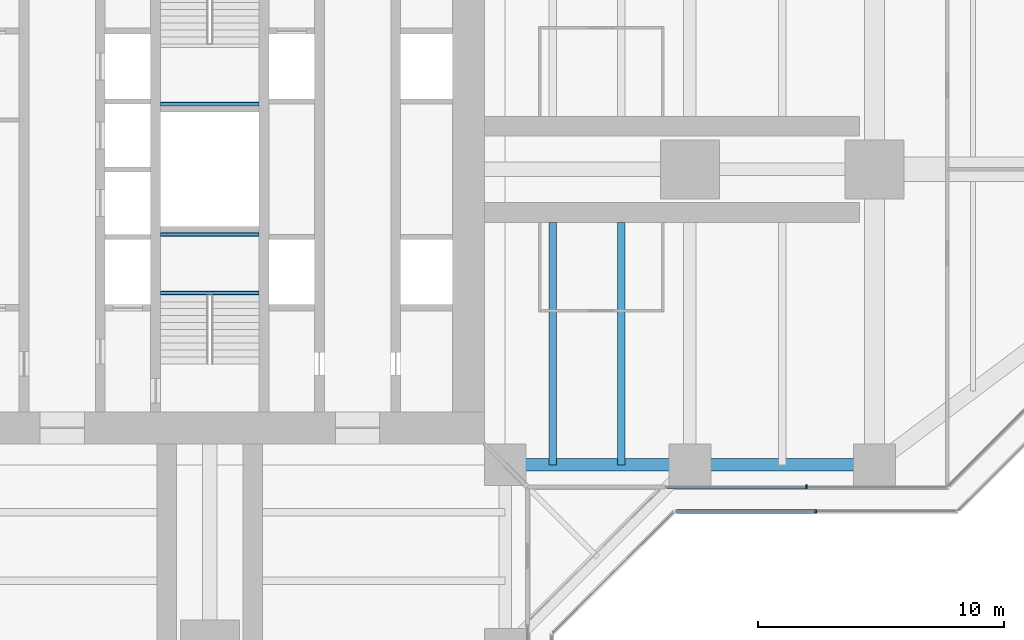
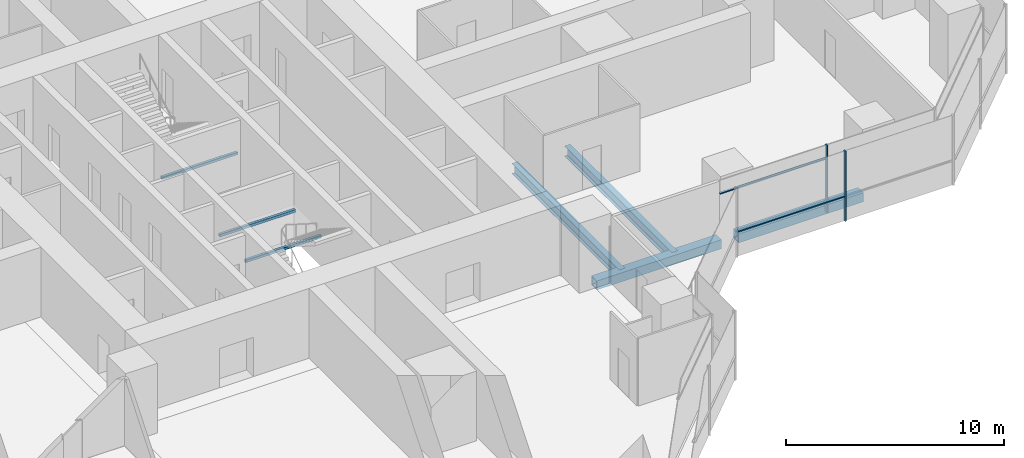
# One storey, part 5 of 19: 7 beams, 4 members, 2 elements without a shape of their own.
"""IFC4 building model written with IfcOpenShell, lengths in metres."""

from ifc_helpers import new_model, si_unit, direction, frame, origin, origin_2d, place, context, subcontext, project, spatial, rectangle, hollow_rectangle, i_section, extrude, material, material_profile, profile_set, type_object, element, aggregate, save


model = new_model("IFC4")

# Units and contexts
model_context = context("Model", 3, precision=1e-05, world=origin(), true_north=direction((0.0, 1.0)))
body_context = subcontext(model_context, "Body", "Model", "MODEL_VIEW")
ifc_project = project(units=[si_unit("LENGTHUNIT", "METRE"), si_unit("AREAUNIT", "SQUARE_METRE"), si_unit("VOLUMEUNIT", "CUBIC_METRE"), si_unit("PLANEANGLEUNIT", "RADIAN"), si_unit("MASSUNIT", "GRAM", prefix="KILO")], contexts=[model_context])

# Site, building, storey
site_placement = place(None, origin())
site = spatial("IfcSite", under=ifc_project, at=site_placement, CompositionType="ELEMENT")
building_placement = place(site_placement, origin())
building = spatial("IfcBuilding", under=site, at=building_placement, Name="Mizan Broadcast Tower", CompositionType="ELEMENT")
storey_placement = place(building_placement, frame((0.0, 0.0, 167.10009765625)))
storey = spatial("IfcBuildingStorey", under=building, at=storey_placement, Name="L38", CompositionType="ELEMENT", Elevation=167.10009765625)

# Beams
ifc_material_1 = material(Name="Steel S355", Category="steel")
ifc_material_profile_1 = material_profile(ifc_material_1, hollow_rectangle(XDim=0.5, YDim=0.5, WallThickness=0.030029296875, at=origin_2d()), Name="BOX 500x500x30")
ifc_profile_set_1 = profile_set([ifc_material_profile_1], Name="Steel S355")
beam_type_1 = type_object("IfcBeamType", Name="EDGE BEAM BOX 500x500x30", PredefinedType="SPANDREL", material=ifc_profile_set_1)
for number, where, z_axis, x_axis, name in (
    (1, (12.449951171875, -12.0, -0.380126953125), (1.0, 0.0, 0.0), (0.0, 1.0, 0.0), "Edge beam BOX 500x500x30 L38 east arm"),
    (2, (19.949951171875, -12.0, -0.380126953125), (1.0, 0.0, 0.0), (0.0, 1.0, 0.0), "Edge beam BOX 500x500x30 L38 east arm"),
):
    element("IfcBeam", number, at=place(storey_placement, frame(where, z_axis=z_axis, x_axis=x_axis)), inside=storey, type_object=beam_type_1, Name=name, PredefinedType="SPANDREL", context=body_context, shape_type="SweptSolid", body=[
        extrude(hollow_rectangle(XDim=0.5, YDim=0.5, WallThickness=0.030029296875, at=origin_2d()), origin(), (0.0, 0.0, 1.0), 6.60009765625),
    ])

# Curtain wall, members
ifc_material_2 = material(Name="Aluminium framed glazing", Category="aluminium")
curtain_wall_type_1 = type_object("IfcCurtainWallType", Name="INNER SKIN MID ZONE", PredefinedType="USERDEFINED", material=ifc_material_2)
curtain_wall_1_placement = place(storey_placement, origin())
curtain_wall_1 = element("IfcCurtainWall", 3, at=curtain_wall_1_placement, inside=storey, type_object=curtain_wall_type_1, Name="Inner skin mid zone L38 E side", ObjectType="INNER SKIN MID ZONE", PredefinedType="USERDEFINED")
ifc_material_3 = material(Name="Aluminium, pale anodised", Category="aluminium")
ifc_material_profile_2 = material_profile(ifc_material_3, rectangle(XDim=0.159912109375, YDim=0.06005859375, at=origin_2d()), Name="MULLION 160x60")
ifc_profile_set_2 = profile_set([ifc_material_profile_2], Name="Aluminium, pale anodised")
member_type_1 = type_object("IfcMemberType", Name="INNER SKIN MULLION 60x160", PredefinedType="MULLION", material=ifc_profile_set_2)
member_1_placement = place(storey_placement, frame((24.229248046875, -12.89990234375, 0.0), z_axis=(0.0, 0.0, 1.0), x_axis=(0.0, 1.0, 0.0)))
member_1 = element("IfcMember", 4, at=member_1_placement, type_object=member_type_1, Name="Inner skin mid zone L38 E side mullion 2", PredefinedType="MULLION", context=body_context, shape_type="SweptSolid", body=[
    extrude(rectangle(XDim=0.159912109375, YDim=0.06005859375, at=origin_2d()), origin(), (0.0, 0.0, 1.0), 3.77001953125),
])
ifc_material_4 = material(Name="Aluminium, pale anodised", Category="aluminium")
ifc_material_profile_3 = material_profile(ifc_material_4, rectangle(XDim=0.1201171875, YDim=0.06005859375, at=origin_2d()), Name="TRANSOM 120x60")
ifc_profile_set_3 = profile_set([ifc_material_profile_3], Name="Aluminium, pale anodised")
member_type_2 = type_object("IfcMemberType", Name="INNER SKIN TRANSOM 60x120", PredefinedType="USERDEFINED", material=ifc_profile_set_3)
member_2_placement = place(storey_placement, frame((18.56005859375, -12.89990234375, 3.02978515625), z_axis=(1.0, 0.0, 0.0), x_axis=(0.0, 1.0, 0.0)))
member_2 = element("IfcMember", 5, at=member_2_placement, type_object=member_type_2, Name="Inner skin mid zone L38 E side transom 1.1", ObjectType="TRANSOM", PredefinedType="USERDEFINED", context=body_context, shape_type="SweptSolid", body=[
    extrude(rectangle(XDim=0.1201171875, YDim=0.06005859375, at=origin_2d()), origin(), (0.0, 0.0, 1.0), 5.63916015625),
])
aggregate(curtain_wall_1, [member_1, member_2])

# Beams
ifc_material_5 = material(Name="Steel S355", Category="steel")
ifc_material_profile_4 = material_profile(ifc_material_5, hollow_rectangle(XDim=0.14990234375, YDim=0.14990234375, WallThickness=0.008056640625, InnerFilletRadius=0.008056640625, OuterFilletRadius=0.011962890625, at=origin_2d()), Name="SHS 150x150x8")
ifc_profile_set_4 = profile_set([ifc_material_profile_4], Name="Steel S355")
beam_type_2 = type_object("IfcBeamType", Name="LANDING TRIMMER SHS 150x150x8", PredefinedType="BEAM", material=ifc_profile_set_4)
for number, where, z_axis, x_axis, name in (
    (6, (-2.0, -5.02490234375, 1.6748046875), (1.0, 0.0, 0.0), (0.0, 1.0, 0.0), "Stair A landing trimmer L38"),
    (7, (-2.0, -2.64990234375, 1.6748046875), (1.0, 0.0, 0.0), (0.0, 1.0, 0.0), "Stair A landing trimmer L38"),
    (8, (2.0, 2.64990234375, 1.6748046875), (-1.0, 0.0, 0.0), (0.0, -1.0, 0.0), "Stair B landing trimmer L38"),
):
    element("IfcBeam", number, at=place(storey_placement, frame(where, z_axis=z_axis, x_axis=x_axis)), inside=storey, type_object=beam_type_2, Name=name, PredefinedType="BEAM", context=body_context, shape_type="SweptSolid", body=[
        extrude(hollow_rectangle(XDim=0.14990234375, YDim=0.14990234375, WallThickness=0.008056640625, InnerFilletRadius=0.008056640625, OuterFilletRadius=0.011962890625, at=origin_2d()), origin(), (0.0, 0.0, 1.0), 4.0),
    ])

# Curtain wall, members
ifc_material_6 = material(Name="Aluminium framed glazing", Category="aluminium")
curtain_wall_type_2 = type_object("IfcCurtainWallType", Name="OUTER SKIN", PredefinedType="USERDEFINED", material=ifc_material_6)
curtain_wall_2_placement = place(storey_placement, origin())
curtain_wall_2 = element("IfcCurtainWall", 9, at=curtain_wall_2_placement, inside=storey, type_object=curtain_wall_type_2, Name="Outer skin L38 E side", ObjectType="OUTER SKIN", PredefinedType="USERDEFINED")
ifc_material_7 = material(Name="Aluminium, pale anodised", Category="aluminium")
ifc_material_profile_5 = material_profile(ifc_material_7, rectangle(XDim=0.159912109375, YDim=0.080078125, at=origin_2d()), Name="MULLION 160x80")
ifc_profile_set_5 = profile_set([ifc_material_profile_5], Name="Aluminium, pale anodised")
member_type_3 = type_object("IfcMemberType", Name="OUTER SKIN MULLION 80x160", PredefinedType="MULLION", material=ifc_profile_set_5)
member_3_placement = place(storey_placement, frame((24.622802734375, -13.89990234375, 0.0), z_axis=(0.0, 0.0, 1.0), x_axis=(0.0, 1.0, 0.0)))
member_3 = element("IfcMember", 10, at=member_3_placement, type_object=member_type_3, Name="Outer skin L38 E side mullion 2", PredefinedType="MULLION", context=body_context, shape_type="SweptSolid", body=[
    extrude(rectangle(XDim=0.159912109375, YDim=0.080078125, at=origin_2d()), origin(), (0.0, 0.0, 1.0), 3.89990234375),
])
ifc_material_8 = material(Name="Aluminium, pale anodised", Category="aluminium")
ifc_material_profile_6 = material_profile(ifc_material_8, rectangle(XDim=0.159912109375, YDim=0.06005859375, at=origin_2d()), Name="TRANSOM 160x60")
ifc_profile_set_6 = profile_set([ifc_material_profile_6], Name="Aluminium, pale anodised")
member_type_4 = type_object("IfcMemberType", Name="OUTER SKIN TRANSOM 60x160", PredefinedType="USERDEFINED", material=ifc_profile_set_6)
member_4_placement = place(storey_placement, frame((18.952880859375, -13.89990234375, 1.39990234375), z_axis=(1.0, 0.0, 0.0), x_axis=(0.0, 1.0, 0.0)))
member_4 = element("IfcMember", 11, at=member_4_placement, type_object=member_type_4, Name="Outer skin L38 E side transom 1.1", ObjectType="TRANSOM", PredefinedType="USERDEFINED", context=body_context, shape_type="SweptSolid", body=[
    extrude(rectangle(XDim=0.159912109375, YDim=0.06005859375, at=origin_2d()), origin(), (0.0, 0.0, 1.0), 5.6298828125),
])
aggregate(curtain_wall_2, [member_3, member_4])

# Beams
ifc_material_9 = material(Name="Steel S355", Category="steel")
ifc_material_profile_7 = material_profile(ifc_material_9, i_section(OverallWidth=0.300048828125, OverallDepth=0.590087890625, WebThickness=0.012939453125, FlangeThickness=0.02490234375, FilletRadius=0.027099609375, at=origin_2d()), Name="HEA 600")
ifc_profile_set_7 = profile_set([ifc_material_profile_7], Name="Steel S355")
beam_type_3 = type_object("IfcBeamType", Name="SECONDARY BEAM HEA 600", PredefinedType="JOIST", material=ifc_profile_set_7)
for number, where, z_axis, x_axis, name in (
    (12, (13.933349609375, -12.0, -0.425048828125), (0.0, 1.0, 0.0), (-1.0, 0.0, 0.0), "Secondary beam HEA 600 L38 east arm"),
    (13, (16.716552734375, -12.0, -0.425048828125), (0.0, 1.0, 0.0), (-1.0, 0.0, 0.0), "Secondary beam HEA 600 L38 east arm"),
):
    element("IfcBeam", number, at=place(storey_placement, frame(where, z_axis=z_axis, x_axis=x_axis)), inside=storey, type_object=beam_type_3, Name=name, PredefinedType="JOIST", context=body_context, shape_type="SweptSolid", body=[
        extrude(i_section(OverallWidth=0.300048828125, OverallDepth=0.590087890625, WebThickness=0.012939453125, FlangeThickness=0.02490234375, FilletRadius=0.027099609375, at=origin_2d()), origin(), (0.0, 0.0, 1.0), 9.85009765625),
    ])

save(model, "model.ifc")
